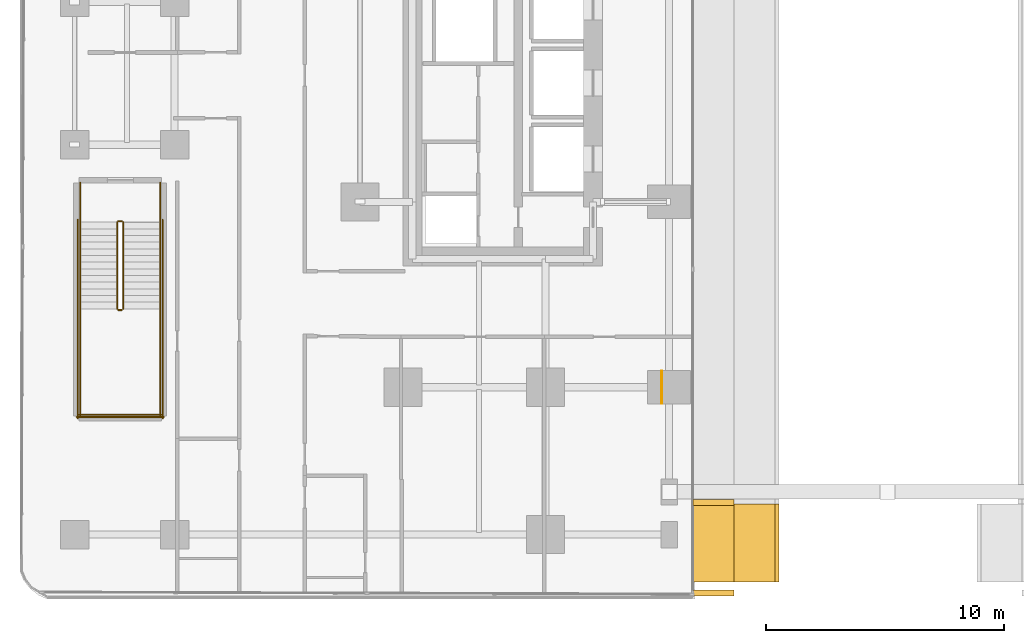
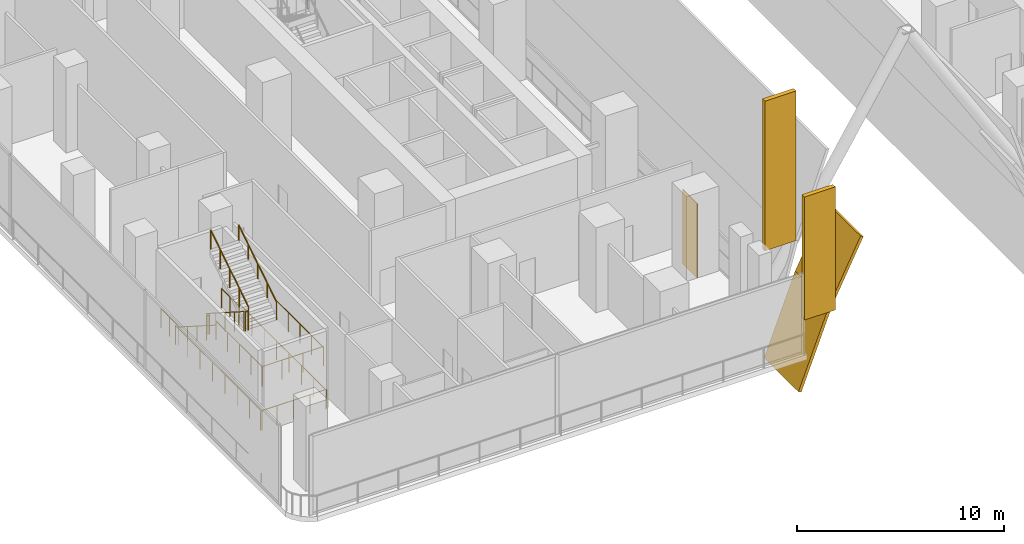
# One storey, part 21 of 31: 14 railings, 5 coverings.
"""IFC4 building model written with IfcOpenShell, lengths in metres."""

from ifc_helpers import new_model, si_unit, direction, frame, origin, origin_2d, place, context, subcontext, project, spatial, polyline, rectangle, circle, outline, extrude, material, layer, layer_set, type_object, element, save


model = new_model("IFC4")

# Units and contexts
model_context = context("Model", 3, precision=1e-05, world=origin(), true_north=direction((0.0, 1.0)))
body_context = subcontext(model_context, "Body", "Model", "MODEL_VIEW")
ifc_project = project(units=[si_unit("LENGTHUNIT", "METRE"), si_unit("AREAUNIT", "SQUARE_METRE"), si_unit("VOLUMEUNIT", "CUBIC_METRE"), si_unit("PLANEANGLEUNIT", "RADIAN"), si_unit("MASSUNIT", "GRAM", prefix="KILO")], contexts=[model_context])

# Site, building, storey
site_placement = place(None, origin())
site = spatial("IfcSite", under=ifc_project, at=site_placement, CompositionType="ELEMENT")
building_placement = place(site_placement, origin())
building = spatial("IfcBuilding", under=site, at=building_placement, Name="Khairoan Windgate Tower", CompositionType="ELEMENT")
storey_placement = place(building_placement, frame((0.0, 0.0, 6.0)))
storey = spatial("IfcBuildingStorey", under=building, at=storey_placement, Name="L02", CompositionType="ELEMENT", Elevation=6.0)

# Coverings
ifc_material_1 = material(Name="Anodised Bronze Aluminium 6063-T6", Category="aluminium")
ifc_layer_1 = layer(ifc_material_1, 0.0400390625, Name="Anodised Bronze Aluminium 6063-T6")
ifc_layer_set_1 = layer_set([ifc_layer_1], Name="Anodised Bronze Aluminium 6063-T6")
covering_type_1 = type_object("IfcCoveringType", Name="Anodised Bronze Arch Pier Cladding", PredefinedType="CLADDING", material=ifc_layer_set_1)
covering_1_placement = place(storey_placement, frame((-9.5, -18.60009765625, 0.0), z_axis=(0.0, 0.0, 1.0), x_axis=(1.0, 0.0, 0.0)))
element("IfcCovering", 1, at=covering_1_placement, inside=storey, type_object=covering_type_1, Name="L02 Arch Pier Bronze Cladding 01", PredefinedType="CLADDING", context=body_context, shape_type="SweptSolid", body=[
    extrude(rectangle(XDim=0.0400390625, YDim=1.39990234375, at=origin_2d()), origin(), (0.0, 0.0, 1.0), 4.39990234375),
])
ifc_material_2 = material(Name="Anodised Bronze Aluminium 6063-T6", Category="aluminium")
ifc_layer_2 = layer(ifc_material_2, 0.179931640625, Name="Anodised Bronze Aluminium 6063-T6")
ifc_layer_set_2 = layer_set([ifc_layer_2], Name="Anodised Bronze Aluminium 6063-T6")
covering_type_2 = type_object("IfcCoveringType", Name="Sculpted Parabolic Arch and Crown Cladding", PredefinedType="CLADDING", material=ifc_layer_set_2)
covering_2_placement = place(storey_placement, frame((-8.199951171875, -26.800048828125, -2.60009765625), z_axis=(-0.933679946091, 0.0, 0.358108584465), x_axis=(0.358108584465, 0.0, 0.933679946091)))
element("IfcCovering", 2, at=covering_2_placement, inside=storey, type_object=covering_type_2, Name="Podium Parabolic Arch Mouth Vault S-01", PredefinedType="CLADDING", context=body_context, shape_type="SweptSolid", body=[
    extrude(outline(polyline([(0.0, 0.0), (4.830882430065925, 0.0), (4.830882430065925, 3.300048828125), (0.0, 3.300048828125), (0.0, 0.0)])), origin(), (0.0, 0.0, -1.0), 0.179931640625),
])
covering_3_placement = place(storey_placement, frame((-7.3349609375, -23.449951171875, 3.734375), z_axis=(0.0, 0.0, 1.0), x_axis=(1.0, 0.0, 0.0)))
element("IfcCovering", 3, at=covering_3_placement, inside=storey, type_object=covering_type_2, Name="Upper Parabolic Arch Tympanum Cladding S-01", PredefinedType="CLADDING", context=body_context, shape_type="SweptSolid", body=[
    extrude(rectangle(XDim=1.72998046875, YDim=0.239990234375, at=origin_2d()), origin(), (0.0, 0.0, 1.0), 8.805908203125),
])
covering_4_placement = place(storey_placement, frame((-7.3349609375, -27.25, 1.96044921875), z_axis=(0.0, 0.0, 1.0), x_axis=(1.0, 0.0, 0.0)))
element("IfcCovering", 4, at=covering_4_placement, inside=storey, type_object=covering_type_2, Name="Podium Parabolic Arch Tympanum Cladding S-01", PredefinedType="CLADDING", context=body_context, shape_type="SweptSolid", body=[
    extrude(rectangle(XDim=1.72998046875, YDim=0.239990234375, at=origin_2d()), origin(), (0.0, 0.0, 1.0), 7.239990234375),
])
covering_5_placement = place(storey_placement, frame((-6.469970703125, -26.800048828125, 1.910400390625), z_axis=(-0.893729710261, 0.0, 0.448605845924), x_axis=(0.448605845924, 0.0, 0.893729710261)))
element("IfcCovering", 5, at=covering_5_placement, inside=storey, type_object=covering_type_2, Name="Podium Parabolic Arch Mouth Vault S-02", PredefinedType="CLADDING", context=body_context, shape_type="SweptSolid", body=[
    extrude(outline(polyline([(0.0, 0.0), (3.8563484726486457, 0.0), (3.8563484726486457, 3.300048828125), (0.0, 3.300048828125), (0.0, 0.0)])), origin(), (0.0, 0.0, -1.0), 0.179931640625),
])

# Railings
ifc_material_3 = material(Name="Anodised Bronze Aluminium 6063-T6", Category="aluminium")
railing_type_1 = type_object("IfcRailingType", Name="Stair Wall Handrail SHR-900", PredefinedType="HANDRAIL", material=ifc_material_3)
railing_1_placement = place(storey_placement, frame((-33.969970703125, -11.659912109375, 0.178466796875)))
element("IfcRailing", 6, at=railing_1_placement, inside=storey, type_object=railing_type_1, Name="L02 ST4 stair handrail 1", PredefinedType="HANDRAIL", context=body_context, shape_type="SweptSolid", body=[
    extrude(circle(Radius=0.02392578125, at=origin_2d()), frame((0.0, 0.0, 0.8759765625), z_axis=(0.0, -0.843127859045, 0.537713132908), x_axis=(1.0, 0.0, 0.0)), (0.0, 0.0, 1.0), 4.3173828125),
    extrude(circle(Radius=0.02099609375, at=origin_2d()), origin(), (0.0, 0.0, 1.0), 0.851806640625),
    extrude(circle(Radius=0.02099609375, at=origin_2d()), frame((0.0, -0.91015625, 0.580322265625)), (0.0, 0.0, 1.0), 0.851806640625),
    extrude(circle(Radius=0.02099609375, at=origin_2d()), frame((0.0, -1.820068359375, 1.16064453125)), (0.0, 0.0, 1.0), 0.851806640625),
    extrude(circle(Radius=0.02099609375, at=origin_2d()), frame((0.0, -2.72998046875, 1.7412109375)), (0.0, 0.0, 1.0), 0.851806640625),
    extrude(circle(Radius=0.02099609375, at=origin_2d()), frame((0.0, -3.64013671875, 2.321533203125)), (0.0, 0.0, 1.0), 0.851806640625),
])
railing_2_placement = place(storey_placement, frame((-30.60009765625, -15.300048828125, 2.678466796875)))
element("IfcRailing", 7, at=railing_2_placement, inside=storey, type_object=railing_type_1, Name="L02 ST4 stair handrail 2", PredefinedType="HANDRAIL", context=body_context, shape_type="SweptSolid", body=[
    extrude(circle(Radius=0.02392578125, at=origin_2d()), frame((0.0, 0.0, 0.8759765625), z_axis=(0.0, 0.843127859045, 0.537713132908), x_axis=(-1.0, 0.0, 0.0)), (0.0, 0.0, 1.0), 4.3173828125),
    extrude(circle(Radius=0.02099609375, at=origin_2d()), origin(), (0.0, 0.0, 1.0), 0.851806640625),
    extrude(circle(Radius=0.02099609375, at=origin_2d()), frame((0.0, 0.91015625, 0.580322265625)), (0.0, 0.0, 1.0), 0.851806640625),
    extrude(circle(Radius=0.02099609375, at=origin_2d()), frame((0.0, 1.820068359375, 1.16064453125)), (0.0, 0.0, 1.0), 0.851806640625),
    extrude(circle(Radius=0.02099609375, at=origin_2d()), frame((0.0, 2.72998046875, 1.7412109375)), (0.0, 0.0, 1.0), 0.851806640625),
    extrude(circle(Radius=0.02099609375, at=origin_2d()), frame((0.0, 3.64013671875, 2.321533203125)), (0.0, 0.0, 1.0), 0.851806640625),
])
ifc_material_4 = material(Name="Steel S355", Category="steel")
railing_type_2 = type_object("IfcRailingType", Name="Stairwell Safety Guardrail SGR-1150", PredefinedType="GUARDRAIL", material=ifc_material_4)
railing_3_placement = place(storey_placement, frame((-32.409912109375, -11.659912109375, 0.178466796875)))
element("IfcRailing", 8, at=railing_3_placement, inside=storey, type_object=railing_type_2, Name="L02 ST4 stair guard 1", PredefinedType="GUARDRAIL", context=body_context, shape_type="SweptSolid", body=[
    extrude(circle(Radius=0.02392578125, at=origin_2d()), frame((0.0, 0.0, 1.1259765625), z_axis=(0.0, -0.843127859045, 0.537713132908), x_axis=(1.0, 0.0, 0.0)), (0.0, 0.0, 1.0), 4.3173828125),
    extrude(circle(Radius=0.02099609375, at=origin_2d()), origin(), (0.0, 0.0, 1.0), 1.101806640625),
    extrude(circle(Radius=0.02099609375, at=origin_2d()), frame((0.0, -0.91015625, 0.580322265625)), (0.0, 0.0, 1.0), 1.101806640625),
    extrude(circle(Radius=0.02099609375, at=origin_2d()), frame((0.0, -1.820068359375, 1.16064453125)), (0.0, 0.0, 1.0), 1.101806640625),
    extrude(circle(Radius=0.02099609375, at=origin_2d()), frame((0.0, -2.72998046875, 1.7412109375)), (0.0, 0.0, 1.0), 1.101806640625),
    extrude(circle(Radius=0.02099609375, at=origin_2d()), frame((0.0, -3.64013671875, 2.321533203125)), (0.0, 0.0, 1.0), 1.101806640625),
])
railing_4_placement = place(storey_placement, frame((-32.360107421875, -15.35009765625, 2.5)))
element("IfcRailing", 9, at=railing_4_placement, inside=storey, type_object=railing_type_2, Name="L02 ST4 stair guard 2", PredefinedType="GUARDRAIL", context=body_context, shape_type="SweptSolid", body=[
    extrude(circle(Radius=0.02392578125, at=origin_2d()), frame((0.0, 0.0, 1.1259765625), z_axis=(1.0, 0.0, 0.0), x_axis=(0.0, 1.0, 0.0)), (0.0, 0.0, 1.0), 0.150146484375),
    extrude(circle(Radius=0.02099609375, at=origin_2d()), origin(), (0.0, 0.0, 1.0), 1.101806640625),
    extrude(circle(Radius=0.02099609375, at=origin_2d()), frame((0.150146484375, 0.0, 0.0)), (0.0, 0.0, 1.0), 1.101806640625),
])
for number, where, name in (
    (10, (-33.969970703125, -15.300048828125, 2.5), "L02 ST4 stair guard 3"),
    (11, (-30.60009765625, -15.300048828125, 2.5), "L02 ST4 stair guard 4"),
):
    element("IfcRailing", number, at=place(storey_placement, frame(where)), inside=storey, type_object=railing_type_2, Name=name, PredefinedType="GUARDRAIL", context=body_context, shape_type="SweptSolid", body=[
        extrude(circle(Radius=0.02392578125, at=origin_2d()), frame((0.0, 0.0, 1.1259765625), z_axis=(0.0, -1.0, 0.0), x_axis=(1.0, 0.0, 0.0)), (0.0, 0.0, 1.0), 4.5),
        extrude(circle(Radius=0.02099609375, at=origin_2d()), origin(), (0.0, 0.0, 1.0), 1.101806640625),
        extrude(circle(Radius=0.02099609375, at=origin_2d()), frame((0.0, -1.125, 0.0)), (0.0, 0.0, 1.0), 1.101806640625),
        extrude(circle(Radius=0.02099609375, at=origin_2d()), frame((0.0, -2.25, 0.0)), (0.0, 0.0, 1.0), 1.101806640625),
        extrude(circle(Radius=0.02099609375, at=origin_2d()), frame((0.0, -3.375, 0.0)), (0.0, 0.0, 1.0), 1.101806640625),
        extrude(circle(Radius=0.02099609375, at=origin_2d()), frame((0.0, -4.5, 0.0)), (0.0, 0.0, 1.0), 1.101806640625),
    ])
railing_5_placement = place(storey_placement, frame((-34.02001953125, -19.75, 2.5)))
element("IfcRailing", 12, at=railing_5_placement, inside=storey, type_object=railing_type_2, Name="L02 ST4 stair guard 5", PredefinedType="GUARDRAIL", context=body_context, shape_type="SweptSolid", body=[
    extrude(circle(Radius=0.02392578125, at=origin_2d()), frame((0.0, 0.0, 1.1259765625), z_axis=(1.0, 0.0, 0.0), x_axis=(0.0, 1.0, 0.0)), (0.0, 0.0, 1.0), 3.469970703125),
    extrude(circle(Radius=0.02099609375, at=origin_2d()), origin(), (0.0, 0.0, 1.0), 1.101806640625),
    extrude(circle(Radius=0.02099609375, at=origin_2d()), frame((1.15673828125, 0.0, 0.0)), (0.0, 0.0, 1.0), 1.101806640625),
    extrude(circle(Radius=0.02099609375, at=origin_2d()), frame((2.313232421875, 0.0, 0.0)), (0.0, 0.0, 1.0), 1.101806640625),
    extrude(circle(Radius=0.02099609375, at=origin_2d()), frame((3.469970703125, 0.0, 0.0)), (0.0, 0.0, 1.0), 1.101806640625),
])
railing_6_placement = place(storey_placement, frame((-32.159912109375, -15.300048828125, 2.678466796875)))
element("IfcRailing", 13, at=railing_6_placement, inside=storey, type_object=railing_type_2, Name="L02 ST4 stair guard 6", PredefinedType="GUARDRAIL", context=body_context, shape_type="SweptSolid", body=[
    extrude(circle(Radius=0.02392578125, at=origin_2d()), frame((0.0, 0.0, 1.1259765625), z_axis=(0.0, 0.843127859045, 0.537713132908), x_axis=(-1.0, 0.0, 0.0)), (0.0, 0.0, 1.0), 4.3173828125),
    extrude(circle(Radius=0.02099609375, at=origin_2d()), origin(), (0.0, 0.0, 1.0), 1.101806640625),
    extrude(circle(Radius=0.02099609375, at=origin_2d()), frame((0.0, 0.91015625, 0.580322265625)), (0.0, 0.0, 1.0), 1.101806640625),
    extrude(circle(Radius=0.02099609375, at=origin_2d()), frame((0.0, 1.820068359375, 1.16064453125)), (0.0, 0.0, 1.0), 1.101806640625),
    extrude(circle(Radius=0.02099609375, at=origin_2d()), frame((0.0, 2.72998046875, 1.7412109375)), (0.0, 0.0, 1.0), 1.101806640625),
    extrude(circle(Radius=0.02099609375, at=origin_2d()), frame((0.0, 3.64013671875, 2.321533203125)), (0.0, 0.0, 1.0), 1.101806640625),
])
railing_7_placement = place(storey_placement, frame((-32.360107421875, -11.610107421875, 0.0)))
element("IfcRailing", 14, at=railing_7_placement, inside=storey, type_object=railing_type_2, Name="L02 ST4 stair guard 7", PredefinedType="GUARDRAIL", context=body_context, shape_type="SweptSolid", body=[
    extrude(circle(Radius=0.02392578125, at=origin_2d()), frame((0.0, 0.0, 1.1259765625), z_axis=(1.0, 0.0, 0.0), x_axis=(0.0, 1.0, 0.0)), (0.0, 0.0, 1.0), 0.150146484375),
    extrude(circle(Radius=0.02099609375, at=origin_2d()), origin(), (0.0, 0.0, 1.0), 1.101806640625),
    extrude(circle(Radius=0.02099609375, at=origin_2d()), frame((0.150146484375, 0.0, 0.0)), (0.0, 0.0, 1.0), 1.101806640625),
])
for number, where, name in (
    (15, (-33.969970703125, -10.0, 0.0), "L02 ST4 stair guard 8"),
    (16, (-30.60009765625, -10.0, 0.0), "L02 ST4 stair guard 9"),
):
    element("IfcRailing", number, at=place(storey_placement, frame(where)), inside=storey, type_object=railing_type_2, Name=name, PredefinedType="GUARDRAIL", context=body_context, shape_type="SweptSolid", body=[
        extrude(circle(Radius=0.02392578125, at=origin_2d()), frame((0.0, 0.0, 1.1259765625), z_axis=(0.0, -1.0, 0.0), x_axis=(1.0, 0.0, 0.0)), (0.0, 0.0, 1.0), 1.659912109375),
        extrude(circle(Radius=0.02099609375, at=origin_2d()), origin(), (0.0, 0.0, 1.0), 1.101806640625),
        extrude(circle(Radius=0.02099609375, at=origin_2d()), frame((0.0, -0.830078125, 0.0)), (0.0, 0.0, 1.0), 1.101806640625),
        extrude(circle(Radius=0.02099609375, at=origin_2d()), frame((0.0, -1.659912109375, 0.0)), (0.0, 0.0, 1.0), 1.101806640625),
    ])
for number, where, name in (
    (17, (-34.070068359375, -11.56005859375, 0.0), "L02 ST4 stair guard 10"),
    (18, (-30.5, -11.56005859375, 0.0), "L02 ST4 stair guard 11"),
):
    element("IfcRailing", number, at=place(storey_placement, frame(where)), inside=storey, type_object=railing_type_2, Name=name, PredefinedType="GUARDRAIL", context=body_context, shape_type="SweptSolid", body=[
        extrude(circle(Radius=0.02392578125, at=origin_2d()), frame((0.0, 0.0, 1.1259765625), z_axis=(0.0, -1.0, 0.0), x_axis=(1.0, 0.0, 0.0)), (0.0, 0.0, 1.0), 8.33984375),
        extrude(circle(Radius=0.02099609375, at=origin_2d()), origin(), (0.0, 0.0, 1.0), 1.101806640625),
        extrude(circle(Radius=0.02099609375, at=origin_2d()), frame((0.0, -1.19140625, 0.0)), (0.0, 0.0, 1.0), 1.101806640625),
        extrude(circle(Radius=0.02099609375, at=origin_2d()), frame((0.0, -2.3828125, 0.0)), (0.0, 0.0, 1.0), 1.101806640625),
        extrude(circle(Radius=0.02099609375, at=origin_2d()), frame((0.0, -3.57421875, 0.0)), (0.0, 0.0, 1.0), 1.101806640625),
        extrude(circle(Radius=0.02099609375, at=origin_2d()), frame((0.0, -4.765625, 0.0)), (0.0, 0.0, 1.0), 1.101806640625),
        extrude(circle(Radius=0.02099609375, at=origin_2d()), frame((0.0, -5.95703125, 0.0)), (0.0, 0.0, 1.0), 1.101806640625),
        extrude(circle(Radius=0.02099609375, at=origin_2d()), frame((0.0, -7.1484375, 0.0)), (0.0, 0.0, 1.0), 1.101806640625),
        extrude(circle(Radius=0.02099609375, at=origin_2d()), frame((0.0, -8.33984375, 0.0)), (0.0, 0.0, 1.0), 1.101806640625),
    ])
railing_8_placement = place(storey_placement, frame((-34.1201171875, -19.85009765625, 0.0)))
element("IfcRailing", 19, at=railing_8_placement, inside=storey, type_object=railing_type_2, Name="L02 ST4 stair guard 12", PredefinedType="GUARDRAIL", context=body_context, shape_type="SweptSolid", body=[
    extrude(circle(Radius=0.02392578125, at=origin_2d()), frame((0.0, 0.0, 1.1259765625), z_axis=(1.0, 0.0, 0.0), x_axis=(0.0, 1.0, 0.0)), (0.0, 0.0, 1.0), 3.670166015625),
    extrude(circle(Radius=0.02099609375, at=origin_2d()), origin(), (0.0, 0.0, 1.0), 1.101806640625),
    extrude(circle(Radius=0.02099609375, at=origin_2d()), frame((0.91748046875, 0.0, 0.0)), (0.0, 0.0, 1.0), 1.101806640625),
    extrude(circle(Radius=0.02099609375, at=origin_2d()), frame((1.8349609375, 0.0, 0.0)), (0.0, 0.0, 1.0), 1.101806640625),
    extrude(circle(Radius=0.02099609375, at=origin_2d()), frame((2.752685546875, 0.0, 0.0)), (0.0, 0.0, 1.0), 1.101806640625),
    extrude(circle(Radius=0.02099609375, at=origin_2d()), frame((3.670166015625, 0.0, 0.0)), (0.0, 0.0, 1.0), 1.101806640625),
])

save(model, "model.ifc")
